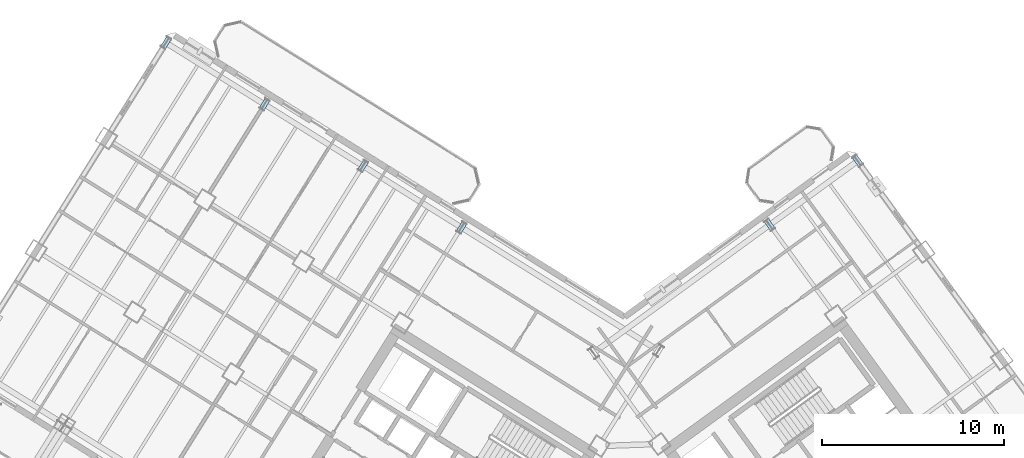
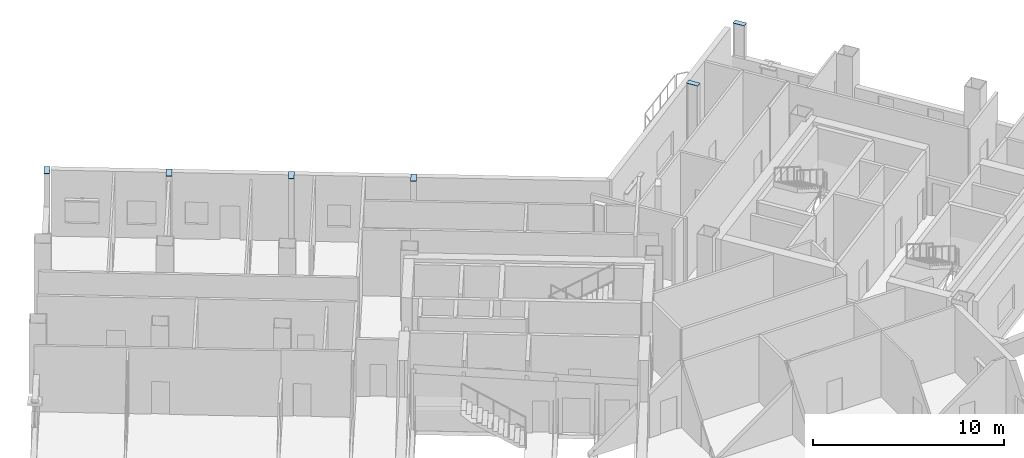
# One storey, part 19 of 32: 6 plates.
"""IFC4 building model written with IfcOpenShell, lengths in metres."""

from ifc_helpers import new_model, si_unit, direction, frame, origin, origin_2d, place, context, subcontext, project, spatial, rectangle, extrude, source, transform, mapped, material, layer, layer_set, type_object, element, save


model = new_model("IFC4")

# Units and contexts
model_context = context("Model", 3, precision=1e-05, world=origin(), true_north=direction((0.0, 1.0)))
body_context = subcontext(model_context, "Body", "Model", "MODEL_VIEW")
ifc_project = project(units=[si_unit("LENGTHUNIT", "METRE"), si_unit("AREAUNIT", "SQUARE_METRE"), si_unit("VOLUMEUNIT", "CUBIC_METRE"), si_unit("PLANEANGLEUNIT", "RADIAN"), si_unit("MASSUNIT", "GRAM", prefix="KILO")], contexts=[model_context])

# Site, building, storey
site_placement = place(None, origin())
site = spatial("IfcSite", under=ifc_project, at=site_placement, CompositionType="ELEMENT")
building_placement = place(site_placement, origin())
building = spatial("IfcBuilding", under=site, at=building_placement, Name="Tlacorven Tower", CompositionType="ELEMENT")
storey_placement = place(building_placement, frame((0.0, 0.0, 123.300048828125)))
storey = spatial("IfcBuildingStorey", under=building, at=storey_placement, Name="L31", CompositionType="ELEMENT", Elevation=123.300048828125)

# Plates
ifc_material = material(Name="Steel S460M", Category="steel")
ifc_layer = layer(ifc_material, 0.02392578125)
ifc_layer_set = layer_set([ifc_layer], Name="Steel S460M")
plate_type = type_object("IfcPlateType", Name="PL-CAP-END1", PredefinedType="USERDEFINED", material=ifc_layer_set)
shared_shape = source(origin(), body_context, "Body", "SweptSolid", [
    extrude(rectangle(XDim=0.300048828125, YDim=0.64990234375, at=origin_2d()), origin(), (0.0, 0.0, 1.0), 0.02392578125),
])
for number, where, z_axis, x_axis, name in (
    (1, (33.21337890625, 36.50927734375, 4.498046875), (0.0, 0.0, 1.0), (-0.848048096156, 0.529919264233, 0.0), "L31 Hollow Column Top Cap Plate COL-L31-W3-1"),
    (2, (27.785888671875, 39.900634765625, 4.498046875), (0.0, 0.0, 1.0), (-0.848048096156, 0.529919264233, 0.0), "L31 Hollow Column Top Cap Plate COL-L31-W4-1"),
    (3, (22.3583984375, 43.292236328125, 4.498046875), (0.0, 0.0, 1.0), (-0.848048096156, 0.529919264233, 0.0), "L31 Hollow Column Top Cap Plate COL-L31-W5-1"),
    (4, (16.930908203125, 46.68359375, 4.498046875), (0.0, 0.0, 1.0), (-0.848048096156, 0.529919264233, 0.0), "L31 Hollow Column Top Cap Plate COL-L31-W6-1"),
    (5, (50.187744140625, 36.654296875, 4.498046875), (0.0, 0.0, 1.0), (0.809016994375, 0.587785252292, 0.0), "L31 Hollow Column Top Cap Plate COL-L31-E3-4"),
    (6, (55.041748046875, 40.18115234375, 4.498046875), (0.0, 0.0, 1.0), (0.809016994375, 0.587785252292, 0.0), "L31 Hollow Column Top Cap Plate COL-L31-E4-4"),
):
    element("IfcPlate", number, at=place(storey_placement, frame(where, z_axis=z_axis, x_axis=x_axis)), inside=storey, type_object=plate_type, Name=name, ObjectType="END PLATE", PredefinedType="USERDEFINED", context=body_context, shape_type="MappedRepresentation", body=[
        mapped(shared_shape, transform((0.0, 0.0, 0.0), scale=1.0)),
    ])

save(model, "model.ifc")
